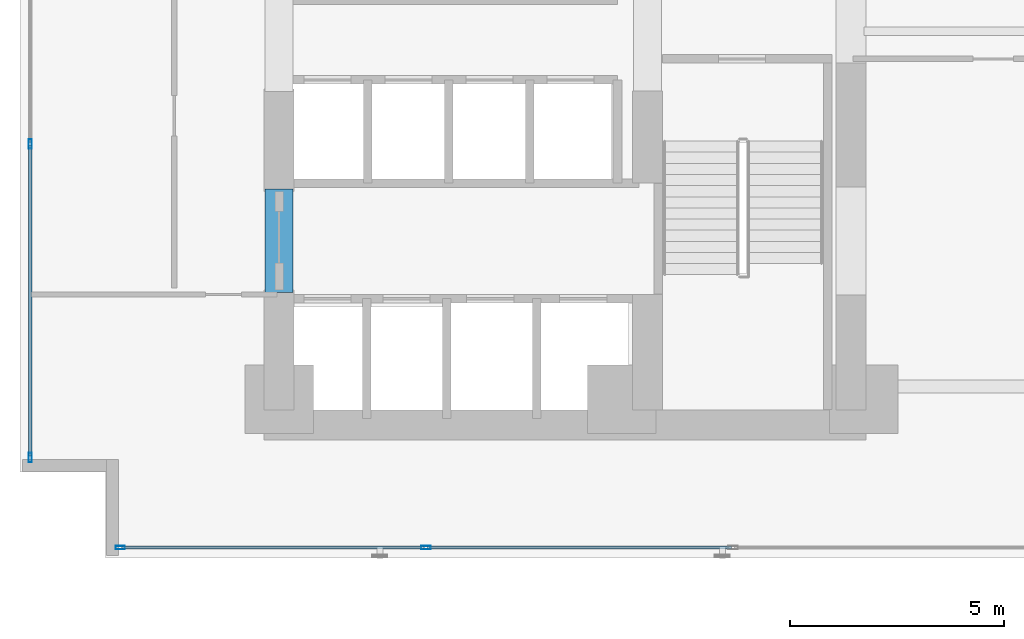
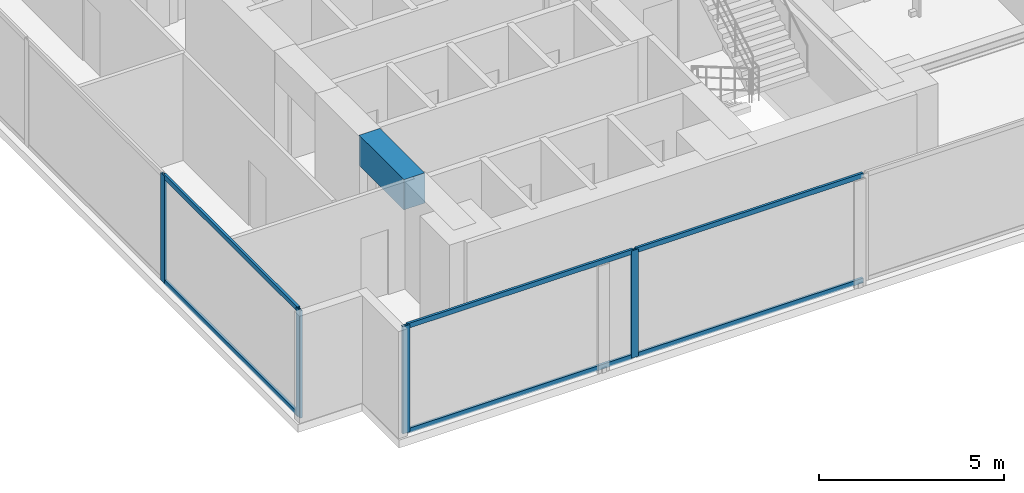
# One storey, part 2 of 29: 10 members, 1 beam, 2 elements without a shape of their own.
"""IFC4 building model written with IfcOpenShell, lengths in metres."""

from ifc_helpers import new_model, si_unit, direction, frame, origin, origin_with_axes, origin_2d, place, context, subcontext, project, spatial, rectangle, hollow_rectangle, extrude, source, transform, mapped, material, layer, layer_set, material_profile, profile_set, type_object, element, aggregate, save


model = new_model("IFC4")

# Units and contexts
model_context = context("Model", 3, precision=1e-05, world=origin(), true_north=direction((0.0, 1.0)))
body_context = subcontext(model_context, "Body", "Model", "MODEL_VIEW")
ifc_project = project(units=[si_unit("LENGTHUNIT", "METRE"), si_unit("AREAUNIT", "SQUARE_METRE"), si_unit("VOLUMEUNIT", "CUBIC_METRE"), si_unit("PLANEANGLEUNIT", "RADIAN"), si_unit("MASSUNIT", "GRAM", prefix="KILO")], contexts=[model_context])

# Site, building, storey
site_placement = place(None, origin())
site = spatial("IfcSite", under=ifc_project, at=site_placement, CompositionType="ELEMENT")
building_placement = place(site_placement, origin())
building = spatial("IfcBuilding", under=site, at=building_placement, Name="Kolvaren Waterfront Exchange", CompositionType="ELEMENT")
storey_placement = place(building_placement, frame((0.0, 0.0, 37.199951171875)))
storey = spatial("IfcBuildingStorey", under=building, at=storey_placement, Name="L09", CompositionType="ELEMENT", Elevation=37.199951171875)

# Beam
ifc_material_1 = material(Name="Concrete C60/75", Category="concrete")
ifc_material_profile_1 = material_profile(ifc_material_1, rectangle(XDim=0.64990234375, YDim=1.0, at=origin_2d()), Name="RC-CB-1000x650")
ifc_profile_set_1 = profile_set([ifc_material_profile_1], Name="Concrete C60/75")
beam_type = type_object("IfcBeamType", Name="STR-CB-1000", PredefinedType="SPANDREL", material=ifc_profile_set_1)
beam_placement = place(storey_placement, frame((7.449951171875, 7.389892578125, 3.0400390625), z_axis=(0.0, 1.0, 0.0), x_axis=(-1.0, 0.0, 0.0)))
element("IfcBeam", 1, at=beam_placement, inside=storey, type_object=beam_type, Name="L09 core coupling beam 3", PredefinedType="SPANDREL", context=body_context, shape_type="SweptSolid", body=[
    extrude(rectangle(XDim=0.64990234375, YDim=1.0, at=origin_2d()), origin(), (0.0, 0.0, 1.0), 2.420166015625),
])

# Curtain wall, members
ifc_material_2 = material(Name="Anodised bronze aluminium 6063-T6", Category="aluminium")
ifc_layer_1 = layer(ifc_material_2, 0.219970703125, Name="Anodised bronze aluminium 6063-T6")
ifc_layer_set_1 = layer_set([ifc_layer_1], Name="Anodised bronze aluminium 6063-T6")
curtain_wall_type_1 = type_object("IfcCurtainWallType", Name="ARC-CW-SYS1", PredefinedType="USERDEFINED", material=ifc_layer_set_1)
curtain_wall_1_placement = place(storey_placement, origin())
curtain_wall_1 = element("IfcCurtainWall", 2, at=curtain_wall_1_placement, inside=storey, type_object=curtain_wall_type_1, Name="L09 stick curtain wall CW1 (CW-L09-S)", ObjectType="STICK CURTAIN WALL", PredefinedType="USERDEFINED")
ifc_material_3 = material(Name="Anodised aluminium 6063-T6", Category="aluminium")
ifc_material_profile_2 = material_profile(ifc_material_3, hollow_rectangle(XDim=0.074951171875, YDim=0.159912109375, WallThickness=0.00439453125, at=origin_2d()), Name="ALU-TRN-160x75x4.5")
ifc_profile_set_2 = profile_set([ifc_material_profile_2], Name="Anodised aluminium 6063-T6")
member_type_1 = type_object("IfcMemberType", Name="ARC-CWT-160", PredefinedType="USERDEFINED", material=ifc_profile_set_2)
shared_shape_1 = source(origin_with_axes(), body_context, "Body", "SweptSolid", [
    extrude(hollow_rectangle(XDim=0.074951171875, YDim=0.159912109375, WallThickness=0.00439453125, at=origin_2d()), origin(), (0.0, 0.0, 1.0), 7.054931640625),
])
member_1_placement = place(storey_placement, frame((3.780029296875, 1.43994140625, 0.03759765625), z_axis=(1.0, 0.0, 0.0), x_axis=(0.0, 1.0, 0.0)))
member_1 = element("IfcMember", 3, at=member_1_placement, type_object=member_type_1, Name="CW1 transom 1.1", ObjectType="TRANSOM", PredefinedType="USERDEFINED", context=body_context, shape_type="MappedRepresentation", body=[
    mapped(shared_shape_1, transform((0.0, 0.0, 0.0), x_axis=(1.0, 0.0, 0.0), y_axis=(0.0, 1.0, 0.0), z_axis=(0.0, 0.0, 1.0), scale=1.0)),
])
member_2_placement = place(storey_placement, frame((3.780029296875, 1.43994140625, 3.50244140625), z_axis=(1.0, 0.0, 0.0), x_axis=(0.0, 1.0, 0.0)))
member_2 = element("IfcMember", 4, at=member_2_placement, type_object=member_type_1, Name="CW1 transom 1.2", ObjectType="TRANSOM", PredefinedType="USERDEFINED", context=body_context, shape_type="MappedRepresentation", body=[
    mapped(shared_shape_1, transform((0.0, 0.0, 0.0), x_axis=(1.0, 0.0, 0.0), y_axis=(0.0, 1.0, 0.0), z_axis=(0.0, 0.0, 1.0), scale=1.0)),
])
shared_shape_2 = source(origin_with_axes(), body_context, "Body", "SweptSolid", [
    extrude(hollow_rectangle(XDim=0.074951171875, YDim=0.159912109375, WallThickness=0.00439453125, at=origin_2d()), origin(), (0.0, 0.0, 1.0), 7.094970703125),
])
member_3_placement = place(storey_placement, frame((10.9150390625, 1.43994140625, 0.03759765625), z_axis=(1.0, 0.0, 0.0), x_axis=(0.0, 1.0, 0.0)))
member_3 = element("IfcMember", 5, at=member_3_placement, type_object=member_type_1, Name="CW1 transom 2.1", ObjectType="TRANSOM", PredefinedType="USERDEFINED", context=body_context, shape_type="MappedRepresentation", body=[
    mapped(shared_shape_2, transform((0.0, 0.0, 0.0), x_axis=(1.0, 0.0, 0.0), y_axis=(0.0, 1.0, 0.0), z_axis=(0.0, 0.0, 1.0), scale=1.0)),
])
member_4_placement = place(storey_placement, frame((10.9150390625, 1.43994140625, 3.50244140625), z_axis=(1.0, 0.0, 0.0), x_axis=(0.0, 1.0, 0.0)))
member_4 = element("IfcMember", 6, at=member_4_placement, type_object=member_type_1, Name="CW1 transom 2.2", ObjectType="TRANSOM", PredefinedType="USERDEFINED", context=body_context, shape_type="MappedRepresentation", body=[
    mapped(shared_shape_2, transform((0.0, 0.0, 0.0), x_axis=(1.0, 0.0, 0.0), y_axis=(0.0, 1.0, 0.0), z_axis=(0.0, 0.0, 1.0), scale=1.0)),
])

ifc_layer_2 = layer(ifc_material_3, 0.219970703125, Name="Anodised aluminium 6063-T6")
ifc_layer_set_2 = layer_set([ifc_layer_2], Name="Anodised aluminium 6063-T6")
curtain_wall_type_2 = type_object("IfcCurtainWallType", Name="ARC-CW-SYS2", PredefinedType="USERDEFINED", material=ifc_layer_set_2)
curtain_wall_2_placement = place(storey_placement, origin())
curtain_wall_2 = element("IfcCurtainWall", 7, at=curtain_wall_2_placement, inside=storey, type_object=curtain_wall_type_2, Name="L09 stick curtain wall CW2 (CW-L09-W)", ObjectType="STICK CURTAIN WALL", PredefinedType="USERDEFINED")
shared_shape_3 = source(origin_with_axes(), body_context, "Body", "SweptSolid", [
    extrude(hollow_rectangle(XDim=0.074951171875, YDim=0.159912109375, WallThickness=0.00439453125, at=origin_2d()), origin(), (0.0, 0.0, 1.0), 7.24658203125),
])
member_5_placement = place(storey_placement, frame((1.639892578125, 3.580078125, 0.03759765625), z_axis=(0.0, 1.0, 0.0), x_axis=(-1.0, 0.0, 0.0)))
member_5 = element("IfcMember", 8, at=member_5_placement, type_object=member_type_1, Name="CW2 transom 1.1", ObjectType="TRANSOM", PredefinedType="USERDEFINED", context=body_context, shape_type="MappedRepresentation", body=[
    mapped(shared_shape_3, transform((0.0, 0.0, 0.0), x_axis=(1.0, 0.0, 0.0), y_axis=(0.0, 1.0, 0.0), z_axis=(0.0, 0.0, 1.0), scale=1.0)),
])
member_6_placement = place(storey_placement, frame((1.639892578125, 3.580078125, 3.50244140625), z_axis=(0.0, 1.0, 0.0), x_axis=(-1.0, 0.0, 0.0)))
member_6 = element("IfcMember", 9, at=member_6_placement, type_object=member_type_1, Name="CW2 transom 1.2", ObjectType="TRANSOM", PredefinedType="USERDEFINED", context=body_context, shape_type="MappedRepresentation", body=[
    mapped(shared_shape_3, transform((0.0, 0.0, 0.0), x_axis=(1.0, 0.0, 0.0), y_axis=(0.0, 1.0, 0.0), z_axis=(0.0, 0.0, 1.0), scale=1.0)),
])

# Member
ifc_material_profile_3 = material_profile(ifc_material_3, hollow_rectangle(XDim=0.080078125, YDim=0.219970703125, WallThickness=0.0048828125, at=origin_2d()), Name="ALU-MUL-220x80x5")
ifc_profile_set_3 = profile_set([ifc_material_profile_3], Name="Anodised aluminium 6063-T6")
member_type_2 = type_object("IfcMemberType", Name="ARC-CWM-220", PredefinedType="MULLION", material=ifc_profile_set_3)
shared_shape_4 = source(origin_with_axes(), body_context, "Body", "SweptSolid", [
    extrude(hollow_rectangle(XDim=0.080078125, YDim=0.219970703125, WallThickness=0.0048828125, at=origin_2d()), origin(), (0.0, 0.0, 1.0), 3.5400390625),
])
member_7_placement = place(storey_placement, frame((3.739990234375, 1.43994140625, 0.0), z_axis=(0.0, 0.0, 1.0), x_axis=(0.0, 1.0, 0.0)))
member_7 = element("IfcMember", 10, at=member_7_placement, type_object=member_type_2, Name="CW1 mullion 1", PredefinedType="MULLION", context=body_context, shape_type="MappedRepresentation", body=[
    mapped(shared_shape_4, transform((0.0, 0.0, 0.0), x_axis=(1.0, 0.0, 0.0), y_axis=(0.0, 1.0, 0.0), z_axis=(0.0, 0.0, 1.0), scale=1.0)),
])

member_8_placement = place(storey_placement, frame((10.875, 1.43994140625, 0.0), z_axis=(0.0, 0.0, 1.0), x_axis=(0.0, 1.0, 0.0)))
member_8 = element("IfcMember", 11, at=member_8_placement, type_object=member_type_2, Name="CW1 mullion 2", PredefinedType="MULLION", context=body_context, shape_type="MappedRepresentation", body=[
    mapped(shared_shape_4, transform((0.0, 0.0, 0.0), x_axis=(1.0, 0.0, 0.0), y_axis=(0.0, 1.0, 0.0), z_axis=(0.0, 0.0, 1.0), scale=1.0)),
])

aggregate(curtain_wall_1, [member_7, member_8, member_1, member_2, member_3, member_4])

member_9_placement = place(storey_placement, frame((1.639892578125, 3.5400390625, 0.0), z_axis=(0.0, 0.0, 1.0), x_axis=(-1.0, 0.0, 0.0)))
member_9 = element("IfcMember", 12, at=member_9_placement, type_object=member_type_2, Name="CW2 mullion 1", PredefinedType="MULLION", context=body_context, shape_type="MappedRepresentation", body=[
    mapped(shared_shape_4, transform((0.0, 0.0, 0.0), x_axis=(1.0, 0.0, 0.0), y_axis=(0.0, 1.0, 0.0), z_axis=(0.0, 0.0, 1.0), scale=1.0)),
])

member_10_placement = place(storey_placement, frame((1.639892578125, 10.86669921875, 0.0), z_axis=(0.0, 0.0, 1.0), x_axis=(-1.0, 0.0, 0.0)))
member_10 = element("IfcMember", 13, at=member_10_placement, type_object=member_type_2, Name="CW2 mullion 2", PredefinedType="MULLION", context=body_context, shape_type="MappedRepresentation", body=[
    mapped(shared_shape_4, transform((0.0, 0.0, 0.0), x_axis=(1.0, 0.0, 0.0), y_axis=(0.0, 1.0, 0.0), z_axis=(0.0, 0.0, 1.0), scale=1.0)),
])

aggregate(curtain_wall_2, [member_9, member_10, member_5, member_6])

save(model, "model.ifc")
